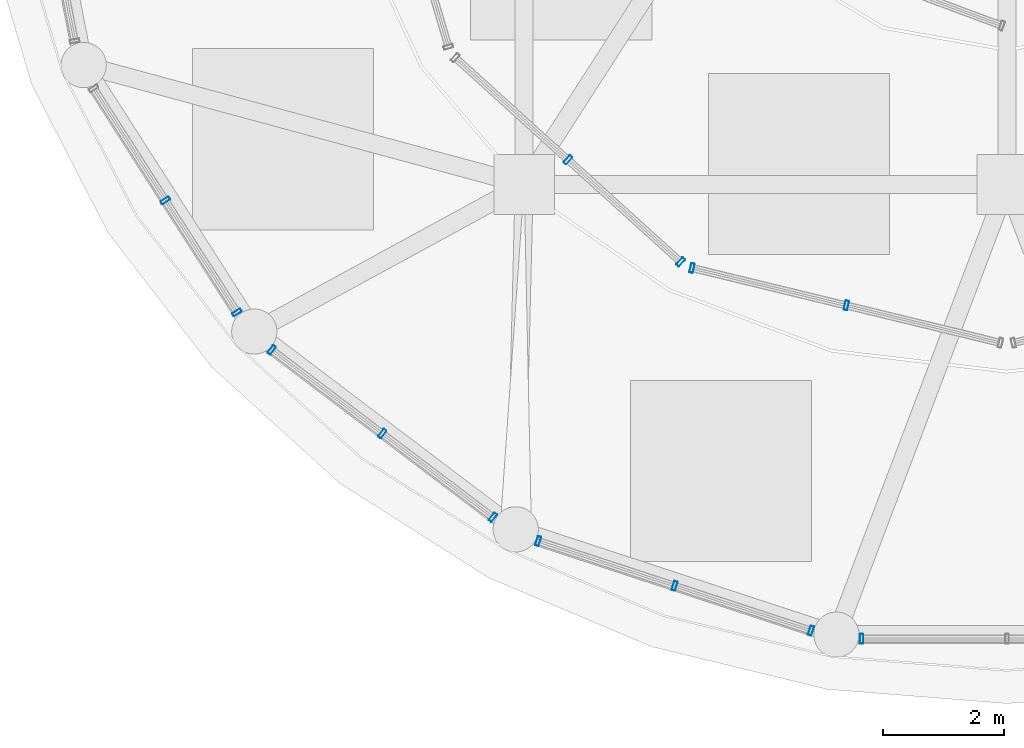
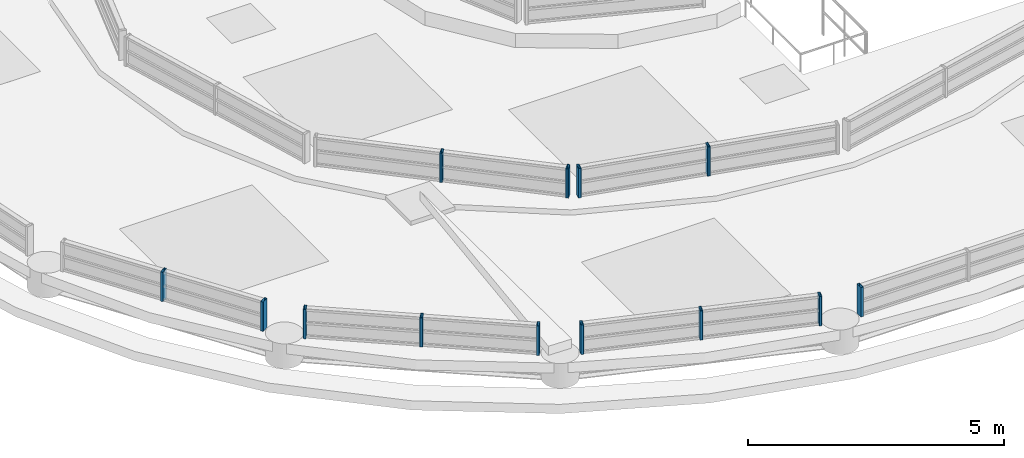
# One storey, part 8 of 21: 13 members, 6 elements without a shape of their own.
"""IFC4 building model written with IfcOpenShell, lengths in metres."""

from ifc_helpers import new_model, si_unit, direction, frame, origin, origin_2d, place, context, subcontext, project, spatial, hollow_rectangle, extrude, material, layer, layer_set, material_profile, profile_set, type_object, element, aggregate, save


model = new_model("IFC4")

# Units and contexts
model_context = context("Model", 3, precision=1e-05, world=origin(), true_north=direction((0.0, 1.0)))
body_context = subcontext(model_context, "Body", "Model", "MODEL_VIEW")
ifc_project = project(units=[si_unit("LENGTHUNIT", "METRE"), si_unit("AREAUNIT", "SQUARE_METRE"), si_unit("VOLUMEUNIT", "CUBIC_METRE"), si_unit("PLANEANGLEUNIT", "RADIAN"), si_unit("MASSUNIT", "GRAM", prefix="KILO")], contexts=[model_context])

# Site, building, storey
site_placement = place(None, origin())
site = spatial("IfcSite", under=ifc_project, at=site_placement, CompositionType="ELEMENT")
building_placement = place(site_placement, origin())
building = spatial("IfcBuilding", under=site, at=building_placement, Name="Kelanora Arch Commons", CompositionType="ELEMENT")
storey_placement = place(building_placement, frame((0.0, 0.0, 311.10009765625)))
storey = spatial("IfcBuildingStorey", under=building, at=storey_placement, Name="RF", CompositionType="ELEMENT", Elevation=311.10009765625)

# Curtain wall, members
ifc_material_1 = material(Name="Terracotta ceramic-fritted low-E glass and aluminium", Category="masonry")
ifc_layer = layer(ifc_material_1, 0.14990234375)
ifc_layer_set = layer_set([ifc_layer], Name="Terracotta ceramic-fritted low-E glass and aluminium")
curtain_wall_type = type_object("IfcCurtainWallType", Name="CW-SYS-06", PredefinedType="NOTDEFINED", material=ifc_layer_set)
curtain_wall_1_placement = place(storey_placement, origin())
curtain_wall_1 = element("IfcCurtainWall", 1, at=curtain_wall_1_placement, inside=storey, type_object=curtain_wall_type, Name="Sloped Glass Crown Lantern T1-11", PredefinedType="NOTDEFINED")
ifc_material_2 = material(Name="Powder-coated aluminium terracotta", Category="masonry")
ifc_material_profile = material_profile(ifc_material_2, hollow_rectangle(XDim=0.159912109375, YDim=0.06005859375, WallThickness=0.0048828125, InnerFilletRadius=0.0048828125, OuterFilletRadius=0.010009765625, at=origin_2d()), Name="CWM160x60")
ifc_profile_set = profile_set([ifc_material_profile], Name="Powder-coated aluminium terracotta")
member_type = type_object("IfcMemberType", Name="CWM-STD", PredefinedType="MULLION", material=ifc_profile_set)
member_1_placement = place(storey_placement, frame((60.0556640625, 50.737060546875, 0.58984375), z_axis=(0.0, 0.0, 1.0), x_axis=(0.842271400663, 0.539053696421, 0.0)))
member_1 = element("IfcMember", 2, at=member_1_placement, type_object=member_type, Name="CW-06 mullion 2", PredefinedType="MULLION", context=body_context, shape_type="SweptSolid", body=[
    extrude(hollow_rectangle(XDim=0.159912109375, YDim=0.06005859375, WallThickness=0.0048828125, InnerFilletRadius=0.0048828125, OuterFilletRadius=0.010009765625, at=origin_2d()), origin(), (0.0, 0.0, 1.0), 0.699951171875),
])
member_2_placement = place(storey_placement, frame((61.243408203125, 48.881103515625, 0.58984375), z_axis=(0.0, 0.0, 1.0), x_axis=(0.842271400663, 0.539053696421, 0.0)))
member_2 = element("IfcMember", 3, at=member_2_placement, type_object=member_type, Name="CW-06 mullion 3", PredefinedType="MULLION", context=body_context, shape_type="SweptSolid", body=[
    extrude(hollow_rectangle(XDim=0.159912109375, YDim=0.06005859375, WallThickness=0.0048828125, InnerFilletRadius=0.0048828125, OuterFilletRadius=0.010009765625, at=origin_2d()), origin(), (0.0, 0.0, 1.0), 0.699951171875),
])
aggregate(curtain_wall_1, [member_1, member_2])

curtain_wall_2_placement = place(storey_placement, origin())
curtain_wall_2 = element("IfcCurtainWall", 4, at=curtain_wall_2_placement, inside=storey, type_object=curtain_wall_type, Name="Sloped Glass Crown Lantern T1-12", PredefinedType="NOTDEFINED")
member_3_placement = place(storey_placement, frame((61.818115234375, 48.25927734375, 0.58984375), z_axis=(0.0, 0.0, 1.0), x_axis=(0.603568166432, 0.797311399937, 0.0)))
member_3 = element("IfcMember", 5, at=member_3_placement, type_object=member_type, Name="CW-06 mullion 1", PredefinedType="MULLION", context=body_context, shape_type="SweptSolid", body=[
    extrude(hollow_rectangle(XDim=0.159912109375, YDim=0.06005859375, WallThickness=0.0048828125, InnerFilletRadius=0.0048828125, OuterFilletRadius=0.010009765625, at=origin_2d()), origin(), (0.0, 0.0, 1.0), 0.699951171875),
])
member_4_placement = place(storey_placement, frame((63.650146484375, 46.87255859375, 0.58984375), z_axis=(0.0, 0.0, 1.0), x_axis=(0.603568166432, 0.797311399937, 0.0)))
member_4 = element("IfcMember", 6, at=member_4_placement, type_object=member_type, Name="CW-06 mullion 2", PredefinedType="MULLION", context=body_context, shape_type="SweptSolid", body=[
    extrude(hollow_rectangle(XDim=0.159912109375, YDim=0.06005859375, WallThickness=0.0048828125, InnerFilletRadius=0.0048828125, OuterFilletRadius=0.010009765625, at=origin_2d()), origin(), (0.0, 0.0, 1.0), 0.699951171875),
])
member_5_placement = place(storey_placement, frame((65.482177734375, 45.485595703125, 0.58984375), z_axis=(0.0, 0.0, 1.0), x_axis=(0.603568166432, 0.797311399937, 0.0)))
member_5 = element("IfcMember", 7, at=member_5_placement, type_object=member_type, Name="CW-06 mullion 3", PredefinedType="MULLION", context=body_context, shape_type="SweptSolid", body=[
    extrude(hollow_rectangle(XDim=0.159912109375, YDim=0.06005859375, WallThickness=0.0048828125, InnerFilletRadius=0.0048828125, OuterFilletRadius=0.010009765625, at=origin_2d()), origin(), (0.0, 0.0, 1.0), 0.699951171875),
])
aggregate(curtain_wall_2, [member_3, member_4, member_5])

curtain_wall_3_placement = place(storey_placement, origin())
curtain_wall_3 = element("IfcCurtainWall", 8, at=curtain_wall_3_placement, inside=storey, type_object=curtain_wall_type, Name="Sloped Glass Crown Lantern T1-13", PredefinedType="NOTDEFINED")
member_6_placement = place(storey_placement, frame((66.2333984375, 45.092041015625, 0.58984375), z_axis=(0.0, 0.0, 1.0), x_axis=(0.311945267732, 0.950100073645, 0.0)))
member_6 = element("IfcMember", 9, at=member_6_placement, type_object=member_type, Name="CW-06 mullion 1", PredefinedType="MULLION", context=body_context, shape_type="SweptSolid", body=[
    extrude(hollow_rectangle(XDim=0.159912109375, YDim=0.06005859375, WallThickness=0.0048828125, InnerFilletRadius=0.0048828125, OuterFilletRadius=0.010009765625, at=origin_2d()), origin(), (0.0, 0.0, 1.0), 0.699951171875),
])
member_7_placement = place(storey_placement, frame((68.492919921875, 44.35009765625, 0.58984375), z_axis=(0.0, 0.0, 1.0), x_axis=(0.311945267732, 0.950100073645, 0.0)))
member_7 = element("IfcMember", 10, at=member_7_placement, type_object=member_type, Name="CW-06 mullion 2", PredefinedType="MULLION", context=body_context, shape_type="SweptSolid", body=[
    extrude(hollow_rectangle(XDim=0.159912109375, YDim=0.06005859375, WallThickness=0.0048828125, InnerFilletRadius=0.0048828125, OuterFilletRadius=0.010009765625, at=origin_2d()), origin(), (0.0, 0.0, 1.0), 0.699951171875),
])
member_8_placement = place(storey_placement, frame((70.75244140625, 43.608154296875, 0.58984375), z_axis=(0.0, 0.0, 1.0), x_axis=(0.311945267732, 0.950100073645, 0.0)))
member_8 = element("IfcMember", 11, at=member_8_placement, type_object=member_type, Name="CW-06 mullion 3", PredefinedType="MULLION", context=body_context, shape_type="SweptSolid", body=[
    extrude(hollow_rectangle(XDim=0.159912109375, YDim=0.06005859375, WallThickness=0.0048828125, InnerFilletRadius=0.0048828125, OuterFilletRadius=0.010009765625, at=origin_2d()), origin(), (0.0, 0.0, 1.0), 0.699951171875),
])
aggregate(curtain_wall_3, [member_6, member_7, member_8])

# Curtain wall, member
curtain_wall_4_placement = place(storey_placement, origin())
curtain_wall_4 = element("IfcCurtainWall", 12, at=curtain_wall_4_placement, inside=storey, type_object=curtain_wall_type, Name="Sloped Glass Crown Lantern T1-14", PredefinedType="NOTDEFINED")
member_9_placement = place(storey_placement, frame((71.5908203125, 43.47412109375, 0.58984375), z_axis=(0.0, 0.0, 1.0), x_axis=(0.0, 1.0, 0.0)))
member_9 = element("IfcMember", 13, at=member_9_placement, type_object=member_type, Name="CW-06 mullion 1", PredefinedType="MULLION", context=body_context, shape_type="SweptSolid", body=[
    extrude(hollow_rectangle(XDim=0.159912109375, YDim=0.06005859375, WallThickness=0.0048828125, InnerFilletRadius=0.0048828125, OuterFilletRadius=0.010009765625, at=origin_2d()), origin(), (0.0, 0.0, 1.0), 0.699951171875),
])
aggregate(curtain_wall_4, [member_9])

# Curtain wall, members
curtain_wall_5_placement = place(storey_placement, origin())
curtain_wall_5 = element("IfcCurtainWall", 14, at=curtain_wall_5_placement, inside=storey, type_object=curtain_wall_type, Name="Sloped Glass Crown Lantern T2-08", PredefinedType="NOTDEFINED")
member_10_placement = place(storey_placement, frame((66.725830078125, 51.408935546875, 0.68994140625), z_axis=(0.0, 0.0, 1.0), x_axis=(0.671458868814, 0.741041825736, 0.0)))
member_10 = element("IfcMember", 15, at=member_10_placement, type_object=member_type, Name="CW-06 mullion 2", PredefinedType="MULLION", context=body_context, shape_type="SweptSolid", body=[
    extrude(hollow_rectangle(XDim=0.159912109375, YDim=0.06005859375, WallThickness=0.0048828125, InnerFilletRadius=0.0048828125, OuterFilletRadius=0.010009765625, at=origin_2d()), origin(), (0.0, 0.0, 1.0), 0.699951171875),
])
member_11_placement = place(storey_placement, frame((68.593505859375, 49.716796875, 0.68994140625), z_axis=(0.0, 0.0, 1.0), x_axis=(0.671458868814, 0.741041825736, 0.0)))
member_11 = element("IfcMember", 16, at=member_11_placement, type_object=member_type, Name="CW-06 mullion 3", PredefinedType="MULLION", context=body_context, shape_type="SweptSolid", body=[
    extrude(hollow_rectangle(XDim=0.159912109375, YDim=0.06005859375, WallThickness=0.0048828125, InnerFilletRadius=0.0048828125, OuterFilletRadius=0.010009765625, at=origin_2d()), origin(), (0.0, 0.0, 1.0), 0.699951171875),
])
aggregate(curtain_wall_5, [member_10, member_11])

curtain_wall_6_placement = place(storey_placement, origin())
curtain_wall_6 = element("IfcCurtainWall", 17, at=curtain_wall_6_placement, inside=storey, type_object=curtain_wall_type, Name="Sloped Glass Crown Lantern T2-09", PredefinedType="NOTDEFINED")
member_12_placement = place(storey_placement, frame((68.78173828125, 49.616943359375, 0.68994140625), z_axis=(0.0, 0.0, 1.0), x_axis=(0.235930888692, 0.971769836824, 0.0)))
member_12 = element("IfcMember", 18, at=member_12_placement, type_object=member_type, Name="CW-06 mullion 1", PredefinedType="MULLION", context=body_context, shape_type="SweptSolid", body=[
    extrude(hollow_rectangle(XDim=0.159912109375, YDim=0.06005859375, WallThickness=0.0048828125, InnerFilletRadius=0.0048828125, OuterFilletRadius=0.010009765625, at=origin_2d()), origin(), (0.0, 0.0, 1.0), 0.699951171875),
])
member_13_placement = place(storey_placement, frame((71.33740234375, 48.996337890625, 0.68994140625), z_axis=(0.0, 0.0, 1.0), x_axis=(0.235930888692, 0.971769836824, 0.0)))
member_13 = element("IfcMember", 19, at=member_13_placement, type_object=member_type, Name="CW-06 mullion 2", PredefinedType="MULLION", context=body_context, shape_type="SweptSolid", body=[
    extrude(hollow_rectangle(XDim=0.159912109375, YDim=0.06005859375, WallThickness=0.0048828125, InnerFilletRadius=0.0048828125, OuterFilletRadius=0.010009765625, at=origin_2d()), origin(), (0.0, 0.0, 1.0), 0.699951171875),
])
aggregate(curtain_wall_6, [member_12, member_13])

save(model, "model.ifc")
